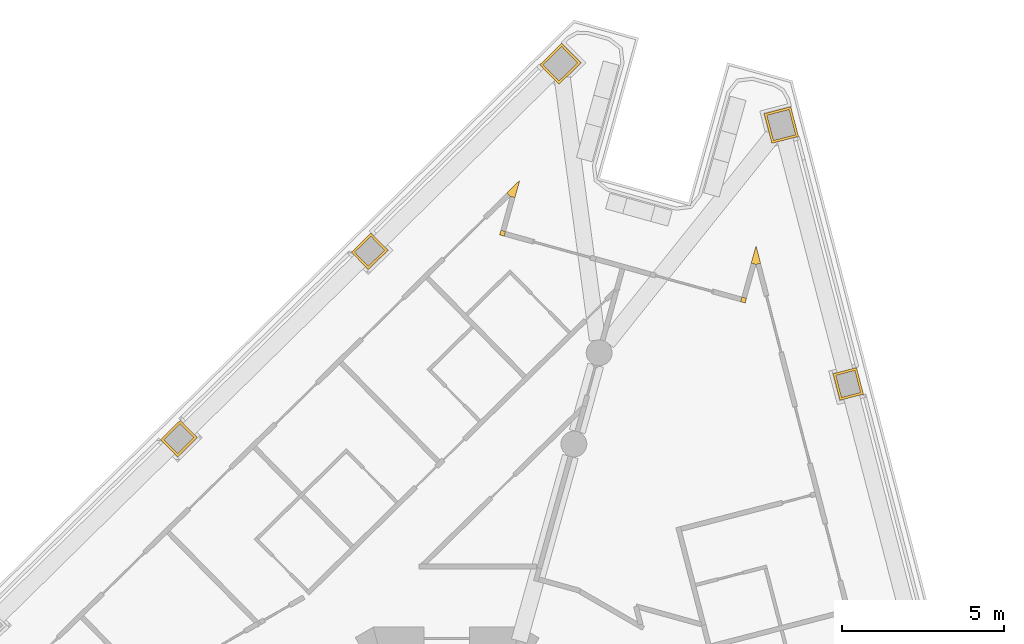
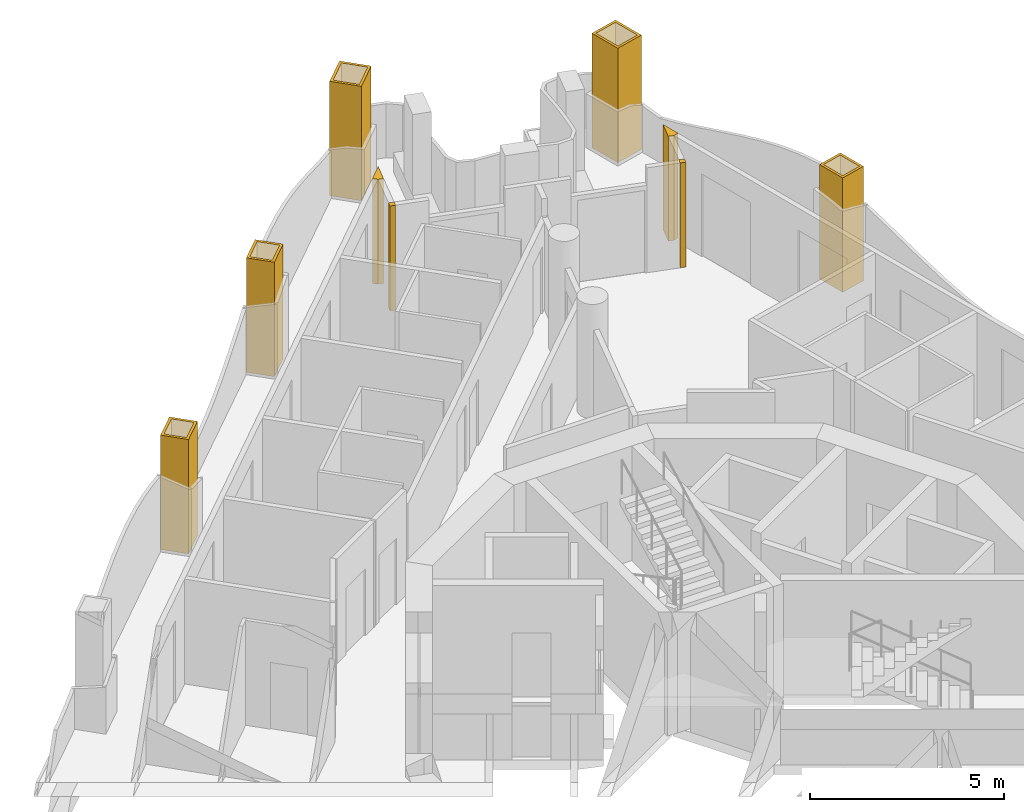
# One storey, part 13 of 14: 9 coverings.
"""IFC4 building model written with IfcOpenShell, lengths in metres."""

from ifc_helpers import new_model, si_unit, direction, frame, origin, place, context, subcontext, project, spatial, polyline, outline, extrude, material, layer, layer_set, type_object, element, save


model = new_model("IFC4")

# Units and contexts
model_context = context("Model", 3, precision=1e-05, world=origin(), true_north=direction((0.0, 1.0)))
body_context = subcontext(model_context, "Body", "Model", "MODEL_VIEW")
ifc_project = project(units=[si_unit("LENGTHUNIT", "METRE"), si_unit("AREAUNIT", "SQUARE_METRE"), si_unit("VOLUMEUNIT", "CUBIC_METRE"), si_unit("PLANEANGLEUNIT", "RADIAN"), si_unit("MASSUNIT", "GRAM", prefix="KILO")], contexts=[model_context])

# Site, building, storey
site_placement = place(None, origin())
site = spatial("IfcSite", under=ifc_project, at=site_placement, CompositionType="ELEMENT")
building_placement = place(site_placement, origin())
building = spatial("IfcBuilding", under=site, at=building_placement, Name="Trine Commons Tower", CompositionType="ELEMENT")
storey_placement = place(building_placement, frame((0.0, 0.0, 238.5)))
storey = spatial("IfcBuildingStorey", under=building, at=storey_placement, Name="L62", CompositionType="ELEMENT", Elevation=238.5)

# Coverings
ifc_material_1 = material(Name="Aluminium-framed insulated wall panel", Category="aluminium")
ifc_layer_1 = layer(ifc_material_1, 0.14990234375)
ifc_layer_set_1 = layer_set([ifc_layer_1], Name="Aluminium-framed insulated wall panel")
covering_type_1 = type_object("IfcCoveringType", Name="Glazing corner post, aluminium", PredefinedType="CLADDING", material=ifc_layer_set_1)
covering_1_placement = place(storey_placement, origin())
element("IfcCovering", 1, at=covering_1_placement, inside=storey, type_object=covering_type_1, Name="Glazing corner post 7-02", PredefinedType="CLADDING", context=body_context, shape_type="SweptSolid", body=[
    extrude(outline(polyline([(82.107177734375, 84.280029296875), (82.256591796875, 84.819580078125), (81.857421875, 84.42724609375), (81.962646484375, 84.3203125), (82.107177734375, 84.280029296875)])), origin(), (0.0, 0.0, 1.0), 3.300048828125),
])
covering_2_placement = place(storey_placement, origin())
element("IfcCovering", 2, at=covering_2_placement, inside=storey, type_object=covering_type_1, Name="Glazing corner post 7-03", PredefinedType="CLADDING", context=body_context, shape_type="SweptSolid", body=[
    extrude(outline(polyline([(81.77685546875, 83.08935546875), (81.81689453125, 83.23388671875), (81.67236328125, 83.27392578125), (81.63232421875, 83.12939453125), (81.77685546875, 83.08935546875)])), origin(), (0.0, 0.0, 1.0), 3.300048828125),
])
covering_3_placement = place(storey_placement, origin())
element("IfcCovering", 3, at=covering_3_placement, inside=storey, type_object=covering_type_1, Name="Glazing corner post 7-04", PredefinedType="CLADDING", context=body_context, shape_type="SweptSolid", body=[
    extrude(outline(polyline([(89.081298828125, 81.063720703125), (89.225830078125, 81.023681640625), (89.265869140625, 81.168212890625), (89.121337890625, 81.208251953125), (89.081298828125, 81.063720703125)])), origin(), (0.0, 0.0, 1.0), 3.300048828125),
])
covering_4_placement = place(storey_placement, origin())
element("IfcCovering", 4, at=covering_4_placement, inside=storey, type_object=covering_type_1, Name="Glazing corner post 7-05", PredefinedType="CLADDING", context=body_context, shape_type="SweptSolid", body=[
    extrude(outline(polyline([(89.411376953125, 82.25439453125), (89.555908203125, 82.21435546875), (89.701171875, 82.251953125), (89.56103515625, 82.7939453125), (89.411376953125, 82.25439453125)])), origin(), (0.0, 0.0, 1.0), 3.300048828125),
])
ifc_material_2 = material(Name="Limestone, honed", Category="masonry")
ifc_layer_2 = layer(ifc_material_2, 0.074951171875)
ifc_layer_set_2 = layer_set([ifc_layer_2], Name="Limestone, honed")
covering_type_2 = type_object("IfcCoveringType", Name="Limestone column cladding 75", PredefinedType="CLADDING", material=ifc_layer_set_2)
covering_5_placement = place(storey_placement, origin())
element("IfcCovering", 5, at=covering_5_placement, inside=storey, type_object=covering_type_2, Name="Limestone pier cladding 7-10", PredefinedType="CLADDING", context=body_context, shape_type="SweptSolid", body=[
    extrude(outline(polyline([(72.281005859375, 76.860107421875), (71.755126953125, 77.39501953125), (71.14892578125, 76.79931640625), (71.674560546875, 76.26416015625), (72.281005859375, 76.860107421875)]), holes=[polyline([(72.1748046875, 76.86083984375), (71.75439453125, 77.288818359375), (71.2548828125, 76.79833984375), (71.675537109375, 76.370361328125), (72.1748046875, 76.86083984375)])]), origin(), (0.0, 0.0, 1.0), 3.60009765625),
])
covering_6_placement = place(storey_placement, origin())
element("IfcCovering", 6, at=covering_6_placement, inside=storey, type_object=covering_type_2, Name="Limestone pier cladding 7-11", PredefinedType="CLADDING", context=body_context, shape_type="SweptSolid", body=[
    extrude(outline(polyline([(78.178466796875, 82.655517578125), (77.65283203125, 83.190673828125), (77.04638671875, 82.5947265625), (77.572265625, 82.059814453125), (78.178466796875, 82.655517578125)]), holes=[polyline([(78.072509765625, 82.656494140625), (77.65185546875, 83.08447265625), (77.152587890625, 82.593994140625), (77.572998046875, 82.166015625), (78.072509765625, 82.656494140625)])]), origin(), (0.0, 0.0, 1.0), 3.60009765625),
])
covering_7_placement = place(storey_placement, origin())
element("IfcCovering", 7, at=covering_7_placement, inside=storey, type_object=covering_type_2, Name="Limestone pier cladding 7-12", PredefinedType="CLADDING", context=body_context, shape_type="SweptSolid", body=[
    extrude(outline(polyline([(84.14697265625, 88.45068359375), (83.551025390625, 89.056884765625), (82.87353515625, 88.39111328125), (83.46923828125, 87.78466796875), (84.14697265625, 88.45068359375)]), holes=[polyline([(84.040771484375, 88.451416015625), (83.55029296875, 88.95068359375), (82.9794921875, 88.39013671875), (83.47021484375, 87.890869140625), (84.040771484375, 88.451416015625)])]), origin(), (0.0, 0.0, 1.0), 3.60009765625),
])
covering_8_placement = place(storey_placement, origin())
element("IfcCovering", 8, at=covering_8_placement, inside=storey, type_object=covering_type_2, Name="Limestone pier cladding 7-13", PredefinedType="CLADDING", context=body_context, shape_type="SweptSolid", body=[
    extrude(outline(polyline([(90.6337890625, 87.0927734375), (89.81103515625, 86.8798828125), (90.048828125, 85.960205078125), (90.871826171875, 86.1728515625), (90.6337890625, 87.0927734375)]), holes=[polyline([(90.580078125, 87.001220703125), (89.90234375, 86.825927734375), (90.102783203125, 86.051513671875), (90.780517578125, 86.226806640625), (90.580078125, 87.001220703125)])]), origin(), (0.0, 0.0, 1.0), 3.60009765625),
])
covering_9_placement = place(storey_placement, origin())
element("IfcCovering", 9, at=covering_9_placement, inside=storey, type_object=covering_type_2, Name="Limestone pier cladding 7-14", PredefinedType="CLADDING", context=body_context, shape_type="SweptSolid", body=[
    extrude(outline(polyline([(92.668212890625, 79.0263671875), (91.942138671875, 78.838623046875), (92.155029296875, 78.015625), (92.881103515625, 78.203369140625), (92.668212890625, 79.0263671875)]), holes=[polyline([(92.614501953125, 78.93505859375), (92.03369140625, 78.78466796875), (92.208984375, 78.10693359375), (92.789794921875, 78.25732421875), (92.614501953125, 78.93505859375)])]), origin(), (0.0, 0.0, 1.0), 3.60009765625),
])

save(model, "model.ifc")
